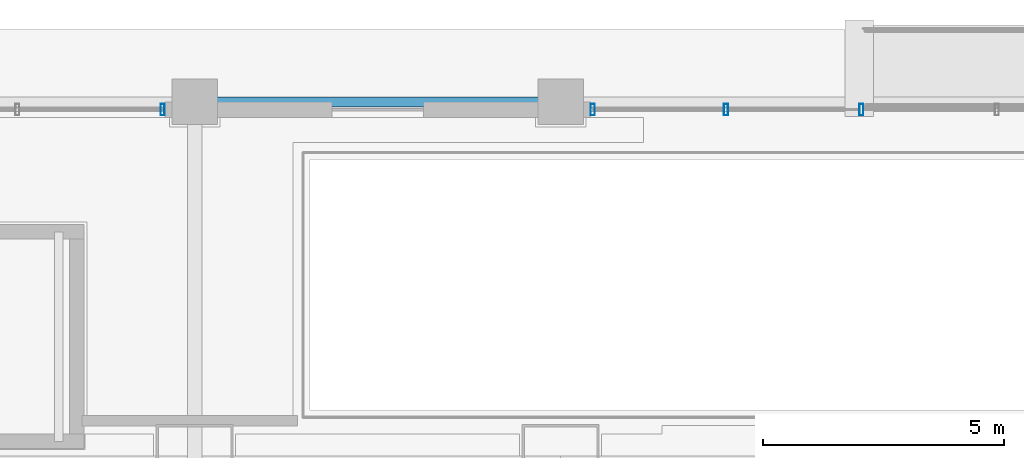
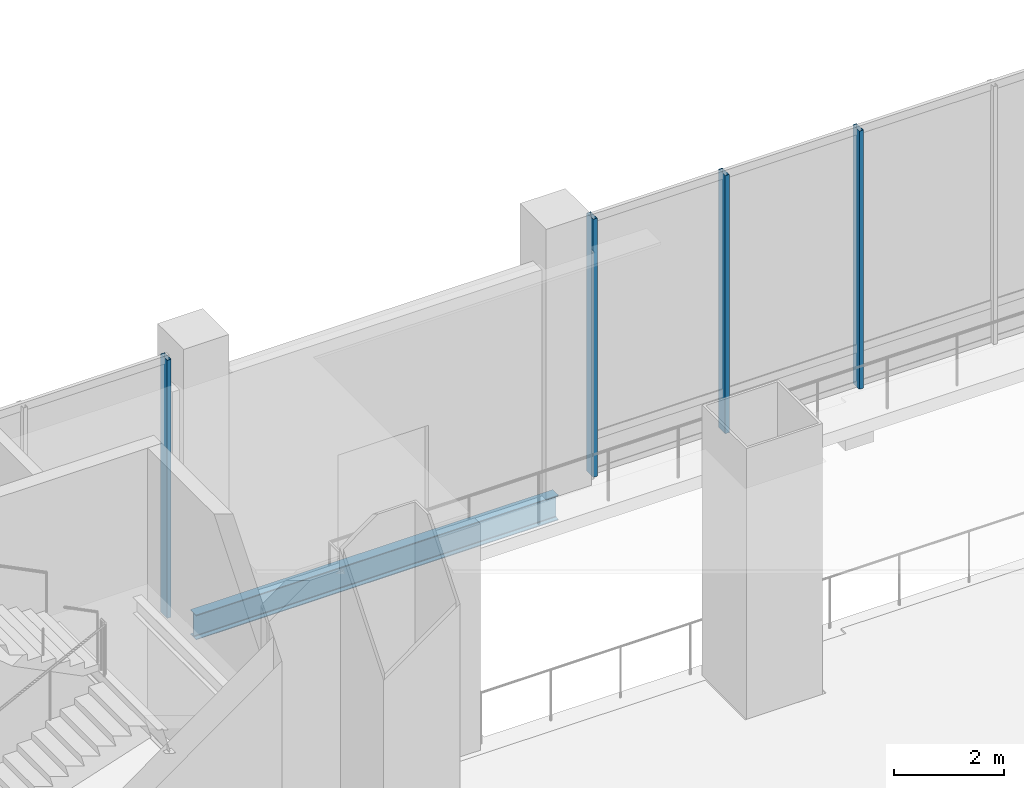
# One storey, part 11 of 32: 4 members, 1 beam, 2 elements without a shape of their own.
"""IFC4 building model written with IfcOpenShell, lengths in metres."""

from ifc_helpers import new_model, si_unit, direction, frame, origin, origin_2d, place, context, subcontext, project, spatial, hollow_rectangle, i_section, extrude, material, material_profile, profile_set, type_object, element, aggregate, save


model = new_model("IFC4")

# Units and contexts
model_context = context("Model", 3, precision=1e-05, world=origin(), true_north=direction((0.0, 1.0)))
body_context = subcontext(model_context, "Body", "Model", "MODEL_VIEW")
ifc_project = project(units=[si_unit("LENGTHUNIT", "METRE"), si_unit("AREAUNIT", "SQUARE_METRE"), si_unit("VOLUMEUNIT", "CUBIC_METRE"), si_unit("PLANEANGLEUNIT", "RADIAN"), si_unit("MASSUNIT", "GRAM", prefix="KILO")], contexts=[model_context])

# Site, building, storey
site_placement = place(None, origin())
site = spatial("IfcSite", under=ifc_project, at=site_placement, CompositionType="ELEMENT")
building_placement = place(site_placement, origin())
building = spatial("IfcBuilding", under=site, at=building_placement, Name="Punatoya Terracotta Tower", CompositionType="ELEMENT")
storey_placement = place(building_placement, origin())
storey = spatial("IfcBuildingStorey", under=building, at=storey_placement, Name="L00", CompositionType="ELEMENT", Elevation=0.0)

# Beam
ifc_material_1 = material(Name="Steel S355", Category="steel")
ifc_material_profile_1 = material_profile(ifc_material_1, i_section(OverallWidth=0.2099609375, OverallDepth=0.550048828125, WebThickness=0.010986328125, FlangeThickness=0.01708984375, FilletRadius=0.01806640625, at=origin_2d()))
ifc_profile_set_1 = profile_set([ifc_material_profile_1], Name="Steel S355")
beam_type = type_object("IfcBeamType", Name="BM-SPN-550", PredefinedType="SPANDREL", material=ifc_profile_set_1)
beam_placement = place(storey_placement, frame((-3.800048828125, 25.0, -0.554931640625), z_axis=(1.0, 0.0, 0.0), x_axis=(0.0, 1.0, 0.0)))
element("IfcBeam", 1, at=beam_placement, inside=storey, type_object=beam_type, Name="BM-L00-MIDH-2", PredefinedType="SPANDREL", context=body_context, shape_type="SweptSolid", body=[
    extrude(i_section(OverallWidth=0.2099609375, OverallDepth=0.550048828125, WebThickness=0.010986328125, FlangeThickness=0.01708984375, FilletRadius=0.01806640625, at=origin_2d()), origin(), (0.0, 0.0, 1.0), 7.60009765625),
])

# Curtain wall, member
ifc_material_2 = material(Name="Aluminium 6063-T6 + Double Low-E Glass", Category="aluminium")
curtain_wall_type = type_object("IfcCurtainWallType", Name="CW-POD", PredefinedType="NOTDEFINED", material=ifc_material_2)
curtain_wall_1_placement = place(storey_placement, origin())
curtain_wall_1 = element("IfcCurtainWall", 2, at=curtain_wall_1_placement, inside=storey, type_object=curtain_wall_type, Name="L00 Curtain Wall CWP-L00-N1B", PredefinedType="NOTDEFINED")
ifc_material_3 = material(Name="Aluminium 6063-T6", Category="aluminium")
ifc_material_profile_2 = material_profile(ifc_material_3, hollow_rectangle(XDim=0.0849609375, YDim=0.239990234375, WallThickness=0.0048828125, at=origin_2d()))
ifc_profile_set_2 = profile_set([ifc_material_profile_2], Name="Aluminium 6063-T6")
member_type = type_object("IfcMemberType", Name="CW-MUL-POD", PredefinedType="MULLION", material=ifc_profile_set_2)
member_1_placement = place(storey_placement, frame((-4.465087890625, 24.840087890625, 0.0), z_axis=(0.0, 0.0, 1.0), x_axis=(1.0, 0.0, 0.0)))
member_1 = element("IfcMember", 3, at=member_1_placement, type_object=member_type, Name="CWP-L00-N1B Mullion 03", PredefinedType="MULLION", context=body_context, shape_type="SweptSolid", body=[
    extrude(hollow_rectangle(XDim=0.0849609375, YDim=0.239990234375, WallThickness=0.0048828125, at=origin_2d()), origin(), (0.0, 0.0, 1.0), 5.719970703125),
])
aggregate(curtain_wall_1, [member_1])

# Curtain wall, members
curtain_wall_2_placement = place(storey_placement, origin())
curtain_wall_2 = element("IfcCurtainWall", 4, at=curtain_wall_2_placement, inside=storey, type_object=curtain_wall_type, Name="L00 Curtain Wall CWP-L00-N2-1", PredefinedType="NOTDEFINED")
member_2_placement = place(storey_placement, frame((4.465087890625, 24.840087890625, 0.0), z_axis=(0.0, 0.0, 1.0), x_axis=(1.0, 0.0, 0.0)))
member_2 = element("IfcMember", 5, at=member_2_placement, type_object=member_type, Name="CWP-L00-N2-1 Mullion 00", PredefinedType="MULLION", context=body_context, shape_type="SweptSolid", body=[
    extrude(hollow_rectangle(XDim=0.0849609375, YDim=0.239990234375, WallThickness=0.0048828125, at=origin_2d()), origin(), (0.0, 0.0, 1.0), 5.719970703125),
])
member_3_placement = place(storey_placement, frame((7.23193359375, 24.840087890625, 0.0), z_axis=(0.0, 0.0, 1.0), x_axis=(1.0, 0.0, 0.0)))
member_3 = element("IfcMember", 6, at=member_3_placement, type_object=member_type, Name="CWP-L00-N2-1 Mullion 01", PredefinedType="MULLION", context=body_context, shape_type="SweptSolid", body=[
    extrude(hollow_rectangle(XDim=0.0849609375, YDim=0.239990234375, WallThickness=0.0048828125, at=origin_2d()), origin(), (0.0, 0.0, 1.0), 5.719970703125),
])
member_4_placement = place(storey_placement, frame((10.0439453125, 24.840087890625, 0.0), z_axis=(0.0, 0.0, 1.0), x_axis=(1.0, 0.0, 0.0)))
member_4 = element("IfcMember", 7, at=member_4_placement, type_object=member_type, Name="CWP-L00-N2-1 Mullion 02", PredefinedType="MULLION", context=body_context, shape_type="SweptSolid", body=[
    extrude(hollow_rectangle(XDim=0.0849609375, YDim=0.239990234375, WallThickness=0.0048828125, at=origin_2d()), origin(), (0.0, 0.0, 1.0), 5.719970703125),
])
aggregate(curtain_wall_2, [member_2, member_3, member_4])

save(model, "model.ifc")
